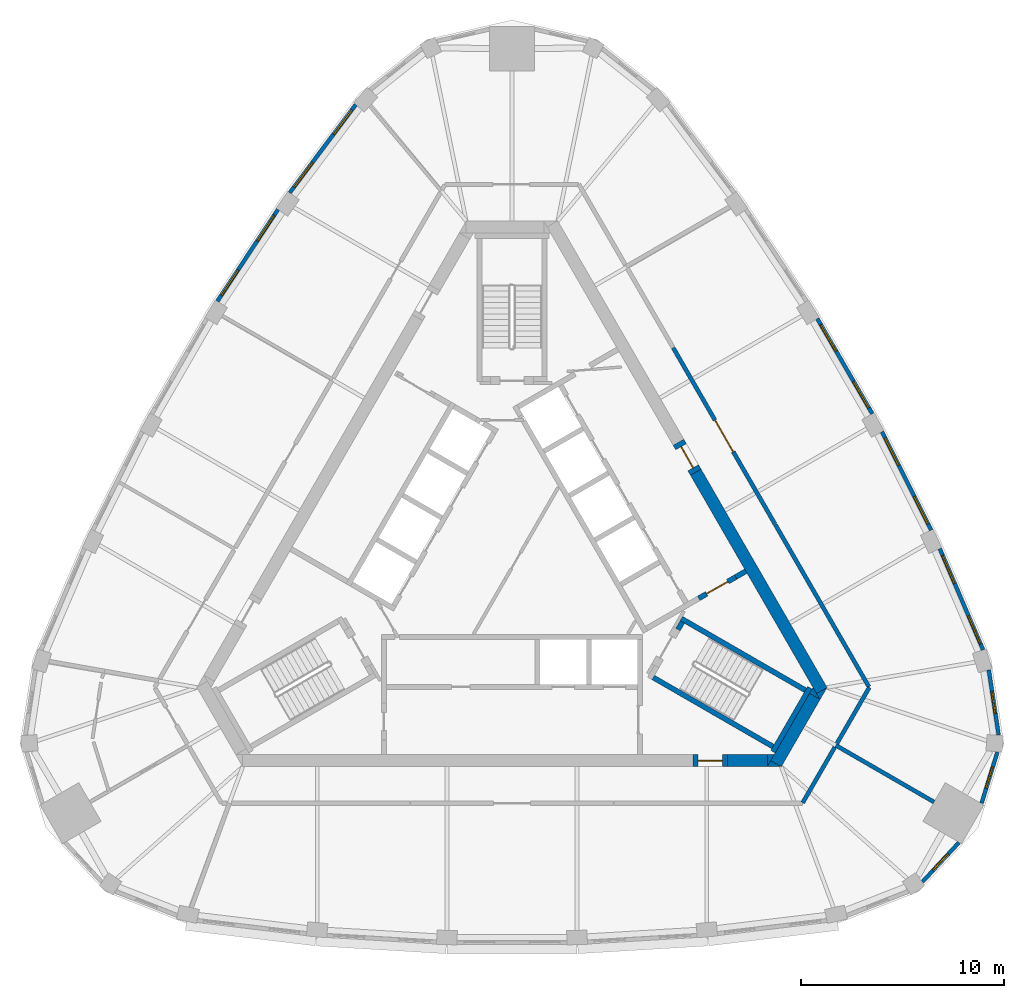
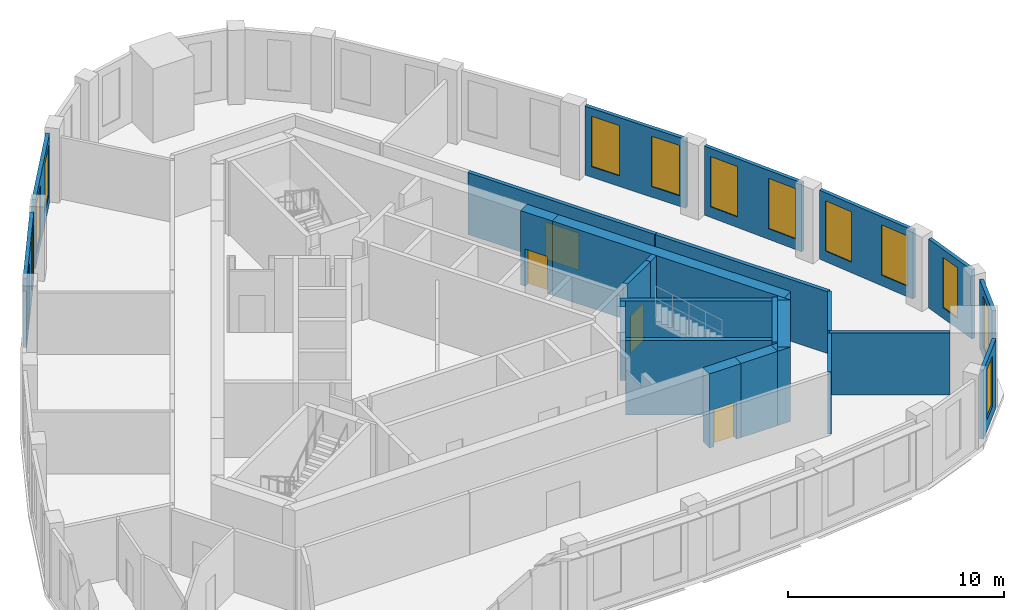
# One storey, part 6 of 8: 28 walls, 13 windows, 4 doors, 17 openings.
"""IFC4 building model written with IfcOpenShell, lengths in metres."""

from ifc_helpers import new_model, si_unit, direction, frame, frame_2d, origin, place, context, subcontext, project, spatial, polyline, rectangle, outline, extrude, material, layer, layer_set, type_object, element, fill, save


model = new_model("IFC4")

# Units and contexts
model_context = context("Model", 3, precision=1e-05, world=origin(), true_north=direction((0.0, 1.0)))
body_context = subcontext(model_context, "Body", "Model", "MODEL_VIEW")
ifc_project = project(units=[si_unit("LENGTHUNIT", "METRE"), si_unit("AREAUNIT", "SQUARE_METRE"), si_unit("VOLUMEUNIT", "CUBIC_METRE"), si_unit("PLANEANGLEUNIT", "RADIAN"), si_unit("MASSUNIT", "GRAM", prefix="KILO")], contexts=[model_context])

# Site, building, storey
site_placement = place(None, origin())
site = spatial("IfcSite", under=ifc_project, at=site_placement, CompositionType="ELEMENT")
building_placement = place(site_placement, origin())
building = spatial("IfcBuilding", under=site, at=building_placement, Name="Mestral Congress Tower", CompositionType="ELEMENT")
storey_placement = place(building_placement, frame((0.0, 0.0, 317.39990234375)))
storey = spatial("IfcBuildingStorey", under=building, at=storey_placement, Name="L74", CompositionType="ELEMENT", Elevation=317.39990234375)

# Walls
ifc_material_1 = material(Name="Concrete C60/75", Category="concrete")
ifc_layer_1 = layer(ifc_material_1, 0.60009765625)
ifc_layer_set_1 = layer_set([ifc_layer_1], Name="Concrete C60/75")
wall_type_1 = type_object("IfcWallType", Name="Core wall RC 600", PredefinedType="SOLIDWALL", material=ifc_layer_set_1)
wall_1_placement = place(storey_placement, frame((9.0419921875, 4.23876953125, 0.0), z_axis=(0.0, 0.0, 1.0), x_axis=(0.500005785455, -0.866022063525, 0.0)))
element("IfcWall", 1, at=wall_1_placement, inside=storey, type_object=wall_type_1, Name="L74 core wall", PredefinedType="SOLIDWALL", context=body_context, shape_type="SweptSolid", body=[
    extrude(rectangle(XDim=12.406494140625, YDim=0.60009765625, at=frame_2d((6.203125, 0.0))), origin(), (0.0, 0.0, 1.0), 4.2001953125),
])
placement = place(storey_placement, origin())
element("IfcWall", 2, at=placement, inside=storey, type_object=wall_type_1, Name="L74 core wall", PredefinedType="SOLIDWALL", context=body_context, shape_type="SweptSolid", body=[
    extrude(outline(polyline([(15.155517578125, -6.949951171875), (14.986572265625, -6.6572265625), (15.493408203125, -6.364501953125), (15.155517578125, -6.949951171875)])), origin(), (0.0, 0.0, 1.0), 4.2001953125),
])
wall_3_placement = place(storey_placement, frame((12.9873046875, -10.105712890625, 0.0), z_axis=(0.0, 0.0, 1.0), x_axis=(0.499950938802, 0.866053727428, 0.0)))
element("IfcWall", 3, at=wall_3_placement, inside=storey, type_object=wall_type_1, Name="L74 core wall", PredefinedType="SOLIDWALL", context=body_context, shape_type="SweptSolid", body=[
    extrude(rectangle(XDim=3.8232421875, YDim=0.60009765625, at=frame_2d((1.91162109375, 0.0))), origin(), (0.0, 0.0, 1.0), 4.2001953125),
])
element("IfcWall", 4, at=placement, inside=storey, type_object=wall_type_1, Name="L74 core wall", PredefinedType="SOLIDWALL", context=body_context, shape_type="SweptSolid", body=[
    extrude(outline(polyline([(12.726318359375, -9.957275390625), (13.2333984375, -10.25), (12.557373046875, -10.25), (12.726318359375, -9.957275390625)])), origin(), (0.0, 0.0, 1.0), 4.2001953125),
])
element("IfcWall", 5, at=placement, inside=storey, type_object=wall_type_1, Name="L74 core wall", PredefinedType="SOLIDWALL", context=body_context, shape_type="SweptSolid", body=[
    extrude(outline(polyline([(14.80908203125, -6.35009765625), (15.147216796875, -6.935791015625), (14.639892578125, -6.642822265625), (14.80908203125, -6.35009765625)])), origin(), (0.0, 0.0, 1.0), 4.2001953125),
])
wall_6_placement = place(storey_placement, frame((10.6044921875, -9.949951171875, 0.0), z_axis=(0.0, 0.0, 1.0), x_axis=(1.0, 0.0, 0.0)))
element("IfcWall", 6, at=wall_6_placement, inside=storey, type_object=wall_type_1, Name="L74 core wall", PredefinedType="SOLIDWALL", context=body_context, shape_type="SweptSolid", body=[
    extrude(rectangle(XDim=1.959228515625, YDim=0.60009765625, at=frame_2d((0.9794921875, 0.0))), origin(), (0.0, 0.0, 1.0), 4.2001953125),
])
element("IfcWall", 7, at=placement, inside=storey, type_object=wall_type_1, Name="L74 core wall", PredefinedType="SOLIDWALL", context=body_context, shape_type="SweptSolid", body=[
    extrude(outline(polyline([(12.90380859375, -9.64990234375), (12.56591796875, -10.235595703125), (12.56591796875, -9.64990234375), (12.90380859375, -9.64990234375)])), origin(), (0.0, 0.0, 1.0), 4.2001953125),
])

# Wall, opening, door
wall_8_placement = place(storey_placement, frame((10.6044921875, -9.949951171875, 0.0), z_axis=(0.0, 0.0, 1.0), x_axis=(-1.0, 0.0, 0.0)))
wall_8 = element("IfcWall", 8, at=wall_8_placement, inside=storey, type_object=wall_type_1, Name="L74 door wall", PredefinedType="SOLIDWALL", context=body_context, shape_type="SweptSolid", body=[
    extrude(rectangle(XDim=1.699951171875, YDim=0.60009765625, at=frame_2d((0.85009765625, 0.0))), origin(), (0.0, 0.0, 1.0), 4.2001953125),
])
opening_1_placement = place(wall_8_placement, frame((0.25, 0.0, 0.0)))
opening_1 = element("IfcOpeningElement", 9, at=opening_1_placement, cuts=wall_8, Name="Opening XD1", PredefinedType="OPENING", context=body_context, shape_type="SweptSolid", body=[
    extrude(rectangle(XDim=1.199951171875, YDim=2.10009765625, at=frame_2d((0.60009765625, 1.050048828125))), frame((0.0, 0.31005859375, 0.0), z_axis=(0.0, -1.0, 0.0), x_axis=(1.0, 0.0, 0.0)), (0.0, 0.0, 1.0), 0.6201171875),
])
ifc_material_2 = material(Name="Fire-rated steel door set", Category="steel")
door_type_1 = type_object("IfcDoorType", Name="Core door XD 1200x2100", OperationType="SINGLE_SWING_LEFT", PredefinedType="DOOR", material=ifc_material_2)
door_1_placement = place(opening_1_placement, origin())
door_1 = element("IfcDoor", 10, at=door_1_placement, inside=storey, type_object=door_type_1, Name="Door XD1", OperationType="SINGLE_SWING_LEFT", OverallHeight=2.10009765625, OverallWidth=1.199951171875, PredefinedType="DOOR", context=body_context, shape_type="SweptSolid", body=[
    extrude(rectangle(XDim=1.199951171875, YDim=2.10009765625, at=frame_2d((0.60009765625, 1.050048828125))), frame((0.0, 0.02490234375, 0.0), z_axis=(0.0, -1.0, 0.0), x_axis=(1.0, 0.0, 0.0)), (0.0, 0.0, 1.0), 0.050048828125),
])
fill(opening_1, door_1)

wall_9_placement = place(storey_placement, frame((8.19189453125, 5.711181640625, 0.0), z_axis=(0.0, 0.0, 1.0), x_axis=(0.500062241894, -0.865989465428, 0.0)))
wall_9 = element("IfcWall", 11, at=wall_9_placement, inside=storey, type_object=wall_type_1, Name="L74 door wall", PredefinedType="SOLIDWALL", context=body_context, shape_type="SweptSolid", body=[
    extrude(rectangle(XDim=1.699951171875, YDim=0.60009765625, at=frame_2d((0.85009765625, 0.0))), origin(), (0.0, 0.0, 1.0), 4.2001953125),
])
opening_2_placement = place(wall_9_placement, frame((0.25, 0.0, 0.0)))
opening_2 = element("IfcOpeningElement", 12, at=opening_2_placement, cuts=wall_9, Name="Opening XDL", PredefinedType="OPENING", context=body_context, shape_type="SweptSolid", body=[
    extrude(rectangle(XDim=1.199951171875, YDim=2.10009765625, at=frame_2d((0.60009765625, 1.050048828125))), frame((0.0, 0.31005859375, 0.0), z_axis=(0.0, -1.0, 0.0), x_axis=(1.0, 0.0, 0.0)), (0.0, 0.0, 1.0), 0.6201171875),
])
door_2_placement = place(opening_2_placement, origin())
door_2 = element("IfcDoor", 13, at=door_2_placement, inside=storey, type_object=door_type_1, Name="Door XDL", OperationType="SINGLE_SWING_LEFT", OverallHeight=2.10009765625, OverallWidth=1.199951171875, PredefinedType="DOOR", context=body_context, shape_type="SweptSolid", body=[
    extrude(rectangle(XDim=1.199951171875, YDim=2.10009765625, at=frame_2d((0.60009765625, 1.050048828125))), frame((0.0, 0.02490234375, 0.0), z_axis=(0.0, -1.0, 0.0), x_axis=(1.0, 0.0, 0.0)), (0.0, 0.0, 1.0), 0.050048828125),
])
fill(opening_2, door_2)

# Wall, opening, window
ifc_material_3 = material(Name="Precast concrete C40/50 with limestone facing", Category="masonry")
ifc_layer_2 = layer(ifc_material_3, 0.18994140625)
ifc_layer_set_2 = layer_set([ifc_layer_2], Name="Precast concrete C40/50 with limestone facing")
wall_type_2 = type_object("IfcWallType", Name="Facade stone wall 190", PredefinedType="SOLIDWALL", material=ifc_layer_set_2)
wall_10_placement = place(storey_placement, frame((20.197998046875, -15.91357421875, 0.0), z_axis=(0.0, 0.0, 1.0), x_axis=(0.680219354823, 0.733008614768, 0.0)))
wall_10 = element("IfcWall", 14, at=wall_10_placement, inside=storey, type_object=wall_type_2, Name="Facade wall K0-1", PredefinedType="SOLIDWALL", context=body_context, shape_type="SweptSolid", body=[
    extrude(rectangle(XDim=2.626953125, YDim=0.18994140625, at=frame_2d((1.3134765625, 0.0))), origin(), (0.0, 0.0, 1.0), 3.900146484375),
])
opening_3_placement = place(wall_10_placement, frame((0.763427734375, 0.0, 0.60009765625)))
opening_3 = element("IfcOpeningElement", 15, at=opening_3_placement, cuts=wall_10, Name="Opening W7", PredefinedType="OPENING", context=body_context, shape_type="SweptSolid", body=[
    extrude(rectangle(XDim=1.10009765625, YDim=2.85009765625, at=frame_2d((0.550048828125, 1.425048828125))), frame((0.0, 0.10498046875, 0.0), z_axis=(0.0, -1.0, 0.0), x_axis=(1.0, 0.0, 0.0)), (0.0, 0.0, 1.0), 0.2099609375),
])
ifc_material_4 = material(Name="Clear low-emissivity double glazing", Category="glass")
window_type_1 = type_object("IfcWindowType", Name="Facade punched window 1100 x 2850 sill 600", PartitioningType="SINGLE_PANEL", PredefinedType="WINDOW", material=ifc_material_4)
window_1_placement = place(opening_3_placement, origin())
window_1 = element("IfcWindow", 16, at=window_1_placement, inside=storey, type_object=window_type_1, Name="Window K0-1", OverallHeight=2.85009765625, OverallWidth=1.10009765625, PartitioningType="SINGLE_PANEL", PredefinedType="WINDOW", context=body_context, shape_type="SweptSolid", body=[
    extrude(rectangle(XDim=1.10009765625, YDim=2.85009765625, at=frame_2d((0.550048828125, 1.425048828125))), frame((0.0, 0.044921875, 0.0), z_axis=(0.0, -1.0, 0.0), x_axis=(1.0, 0.0, 0.0)), (0.0, 0.0, 1.0), 0.06005859375),
])
fill(opening_3, window_1)

wall_11_placement = place(storey_placement, frame((23.1064453125, -12.04541015625, 0.0), z_axis=(0.0, 0.0, 1.0), x_axis=(0.294706210429, 0.9555879078, 0.0)))
wall_11 = element("IfcWall", 17, at=wall_11_placement, inside=storey, type_object=wall_type_2, Name="Facade wall K0-2", PredefinedType="SOLIDWALL", context=body_context, shape_type="SweptSolid", body=[
    extrude(rectangle(XDim=2.626953125, YDim=0.18994140625, at=frame_2d((1.3134765625, 0.0))), origin(), (0.0, 0.0, 1.0), 3.900146484375),
])
opening_4_placement = place(wall_11_placement, frame((0.763427734375, 0.0, 0.60009765625)))
opening_4 = element("IfcOpeningElement", 18, at=opening_4_placement, cuts=wall_11, Name="Opening W7", PredefinedType="OPENING", context=body_context, shape_type="SweptSolid", body=[
    extrude(rectangle(XDim=1.10009765625, YDim=2.85009765625, at=frame_2d((0.550048828125, 1.425048828125))), frame((0.0, 0.10498046875, 0.0), z_axis=(0.0, -1.0, 0.0), x_axis=(1.0, 0.0, 0.0)), (0.0, 0.0, 1.0), 0.2099609375),
])
window_2_placement = place(opening_4_placement, origin())
window_2 = element("IfcWindow", 19, at=window_2_placement, inside=storey, type_object=window_type_1, Name="Window K0-2", OverallHeight=2.85009765625, OverallWidth=1.10009765625, PartitioningType="SINGLE_PANEL", PredefinedType="WINDOW", context=body_context, shape_type="SweptSolid", body=[
    extrude(rectangle(XDim=1.10009765625, YDim=2.85009765625, at=frame_2d((0.550048828125, 1.425048828125))), frame((0.0, 0.044921875, 0.0), z_axis=(0.0, -1.0, 0.0), x_axis=(1.0, 0.0, 0.0)), (0.0, 0.0, 1.0), 0.06005859375),
])
fill(opening_4, window_2)

wall_12_placement = place(storey_placement, frame((23.94384765625, -8.6884765625, 0.0), z_axis=(0.0, 0.0, 1.0), x_axis=(-0.149421055602, 0.988773658702, 0.0)))
wall_12 = element("IfcWall", 20, at=wall_12_placement, inside=storey, type_object=wall_type_2, Name="Facade wall K0-3", PredefinedType="SOLIDWALL", context=body_context, shape_type="SweptSolid", body=[
    extrude(rectangle(XDim=3.23681640625, YDim=0.18994140625, at=frame_2d((1.618408203125, 0.0))), origin(), (0.0, 0.0, 1.0), 3.900146484375),
])
opening_5_placement = place(wall_12_placement, frame((1.068359375, 0.0, 0.60009765625)))
opening_5 = element("IfcOpeningElement", 21, at=opening_5_placement, cuts=wall_12, Name="Opening W7", PredefinedType="OPENING", context=body_context, shape_type="SweptSolid", body=[
    extrude(rectangle(XDim=1.10009765625, YDim=2.85009765625, at=frame_2d((0.550048828125, 1.425048828125))), frame((0.0, 0.10498046875, 0.0), z_axis=(0.0, -1.0, 0.0), x_axis=(1.0, 0.0, 0.0)), (0.0, 0.0, 1.0), 0.2099609375),
])
window_3_placement = place(opening_5_placement, origin())
window_3 = element("IfcWindow", 22, at=window_3_placement, inside=storey, type_object=window_type_1, Name="Window K0-3", OverallHeight=2.85009765625, OverallWidth=1.10009765625, PartitioningType="SINGLE_PANEL", PredefinedType="WINDOW", context=body_context, shape_type="SweptSolid", body=[
    extrude(rectangle(XDim=1.10009765625, YDim=2.85009765625, at=frame_2d((0.550048828125, 1.425048828125))), frame((0.0, 0.044921875, 0.0), z_axis=(0.0, -1.0, 0.0), x_axis=(1.0, 0.0, 0.0)), (0.0, 0.0, 1.0), 0.06005859375),
])
fill(opening_5, window_3)

# Wall, openings, windows
wall_13_placement = place(storey_placement, frame((23.1787109375, -4.50048828125, 0.0), z_axis=(0.0, 0.0, 1.0), x_axis=(-0.393347848476, 0.919389726992, 0.0)))
wall_13 = element("IfcWall", 23, at=wall_13_placement, inside=storey, type_object=wall_type_2, Name="Facade wall F1-00", PredefinedType="SOLIDWALL", context=body_context, shape_type="SweptSolid", body=[
    extrude(rectangle(XDim=5.414794921875, YDim=0.18994140625, at=frame_2d((2.70751953125, 0.0))), origin(), (0.0, 0.0, 1.0), 3.900146484375),
])
opening_6_placement = place(wall_13_placement, frame((0.322509765625, 0.0, 0.60009765625)))
opening_6 = element("IfcOpeningElement", 24, at=opening_6_placement, cuts=wall_13, Name="Opening W6", PredefinedType="OPENING", context=body_context, shape_type="SweptSolid", body=[
    extrude(rectangle(XDim=1.5, YDim=2.85009765625, at=frame_2d((0.75, 1.425048828125))), frame((0.0, 0.10498046875, 0.0), z_axis=(0.0, -1.0, 0.0), x_axis=(1.0, 0.0, 0.0)), (0.0, 0.0, 1.0), 0.2099609375),
])
opening_7_placement = place(wall_13_placement, frame((3.5576171875, 0.0, 0.60009765625)))
opening_7 = element("IfcOpeningElement", 25, at=opening_7_placement, cuts=wall_13, Name="Opening W6", PredefinedType="OPENING", context=body_context, shape_type="SweptSolid", body=[
    extrude(rectangle(XDim=1.5, YDim=2.85009765625, at=frame_2d((0.75, 1.425048828125))), frame((0.0, 0.10498046875, 0.0), z_axis=(0.0, -1.0, 0.0), x_axis=(1.0, 0.0, 0.0)), (0.0, 0.0, 1.0), 0.2099609375),
])
window_type_2 = type_object("IfcWindowType", Name="Facade punched window 1500 x 2850 sill 600", PartitioningType="SINGLE_PANEL", PredefinedType="WINDOW", material=ifc_material_4)
window_4_placement = place(opening_6_placement, origin())
window_4 = element("IfcWindow", 26, at=window_4_placement, inside=storey, type_object=window_type_2, Name="Window F1-00a", OverallHeight=2.85009765625, OverallWidth=1.5, PartitioningType="SINGLE_PANEL", PredefinedType="WINDOW", context=body_context, shape_type="SweptSolid", body=[
    extrude(rectangle(XDim=1.5, YDim=2.85009765625, at=frame_2d((0.75, 1.425048828125))), frame((0.0, 0.044921875, 0.0), z_axis=(0.0, -1.0, 0.0), x_axis=(1.0, 0.0, 0.0)), (0.0, 0.0, 1.0), 0.06005859375),
])
fill(opening_6, window_4)
window_5_placement = place(opening_7_placement, origin())
window_5 = element("IfcWindow", 27, at=window_5_placement, inside=storey, type_object=window_type_2, Name="Window F1-00b", OverallHeight=2.85009765625, OverallWidth=1.5, PartitioningType="SINGLE_PANEL", PredefinedType="WINDOW", context=body_context, shape_type="SweptSolid", body=[
    extrude(rectangle(XDim=1.5, YDim=2.85009765625, at=frame_2d((0.75, 1.425048828125))), frame((0.0, 0.044921875, 0.0), z_axis=(0.0, -1.0, 0.0), x_axis=(1.0, 0.0, 0.0)), (0.0, 0.0, 1.0), 0.06005859375),
])
fill(opening_7, window_5)

wall_14_placement = place(storey_placement, frame((20.625, 1.39208984375, 0.0), z_axis=(0.0, 0.0, 1.0), x_axis=(-0.447484531401, 0.894291671747, 0.0)))
wall_14 = element("IfcWall", 28, at=wall_14_placement, inside=storey, type_object=wall_type_2, Name="Facade wall F1-01", PredefinedType="SOLIDWALL", context=body_context, shape_type="SweptSolid", body=[
    extrude(rectangle(XDim=5.40625, YDim=0.18994140625, at=frame_2d((2.703125, 0.0))), origin(), (0.0, 0.0, 1.0), 3.900146484375),
])
opening_8_placement = place(wall_14_placement, frame((0.346435546875, 0.0, 0.60009765625)))
opening_8 = element("IfcOpeningElement", 29, at=opening_8_placement, cuts=wall_14, Name="Opening W6", PredefinedType="OPENING", context=body_context, shape_type="SweptSolid", body=[
    extrude(rectangle(XDim=1.5, YDim=2.85009765625, at=frame_2d((0.75, 1.425048828125))), frame((0.0, 0.10498046875, 0.0), z_axis=(0.0, -1.0, 0.0), x_axis=(1.0, 0.0, 0.0)), (0.0, 0.0, 1.0), 0.2099609375),
])
opening_9_placement = place(wall_14_placement, frame((3.559326171875, 0.0, 0.60009765625)))
opening_9 = element("IfcOpeningElement", 30, at=opening_9_placement, cuts=wall_14, Name="Opening W6", PredefinedType="OPENING", context=body_context, shape_type="SweptSolid", body=[
    extrude(rectangle(XDim=1.5, YDim=2.85009765625, at=frame_2d((0.75, 1.425048828125))), frame((0.0, 0.10498046875, 0.0), z_axis=(0.0, -1.0, 0.0), x_axis=(1.0, 0.0, 0.0)), (0.0, 0.0, 1.0), 0.2099609375),
])
window_6_placement = place(opening_8_placement, origin())
window_6 = element("IfcWindow", 31, at=window_6_placement, inside=storey, type_object=window_type_2, Name="Window F1-01a", OverallHeight=2.85009765625, OverallWidth=1.5, PartitioningType="SINGLE_PANEL", PredefinedType="WINDOW", context=body_context, shape_type="SweptSolid", body=[
    extrude(rectangle(XDim=1.5, YDim=2.85009765625, at=frame_2d((0.75, 1.425048828125))), frame((0.0, 0.044921875, 0.0), z_axis=(0.0, -1.0, 0.0), x_axis=(1.0, 0.0, 0.0)), (0.0, 0.0, 1.0), 0.06005859375),
])
fill(opening_8, window_6)
window_7_placement = place(opening_9_placement, origin())
window_7 = element("IfcWindow", 32, at=window_7_placement, inside=storey, type_object=window_type_2, Name="Window F1-01b", OverallHeight=2.85009765625, OverallWidth=1.5, PartitioningType="SINGLE_PANEL", PredefinedType="WINDOW", context=body_context, shape_type="SweptSolid", body=[
    extrude(rectangle(XDim=1.5, YDim=2.85009765625, at=frame_2d((0.75, 1.425048828125))), frame((0.0, 0.044921875, 0.0), z_axis=(0.0, -1.0, 0.0), x_axis=(1.0, 0.0, 0.0)), (0.0, 0.0, 1.0), 0.06005859375),
])
fill(opening_9, window_7)

wall_15_placement = place(storey_placement, frame((17.728271484375, 7.1142578125, 0.0), z_axis=(0.0, 0.0, 1.0), x_axis=(-0.500024767483, 0.866011103799, 0.0)))
wall_15 = element("IfcWall", 33, at=wall_15_placement, inside=storey, type_object=wall_type_2, Name="Facade wall F1-02", PredefinedType="SOLIDWALL", context=body_context, shape_type="SweptSolid", body=[
    extrude(rectangle(XDim=5.406005859375, YDim=0.18994140625, at=frame_2d((2.703125, 0.0))), origin(), (0.0, 0.0, 1.0), 3.900146484375),
])
opening_10_placement = place(wall_15_placement, frame((0.346435546875, 0.0, 0.60009765625)))
opening_10 = element("IfcOpeningElement", 34, at=opening_10_placement, cuts=wall_15, Name="Opening W6", PredefinedType="OPENING", context=body_context, shape_type="SweptSolid", body=[
    extrude(rectangle(XDim=1.5, YDim=2.85009765625, at=frame_2d((0.75, 1.425048828125))), frame((0.0, 0.10498046875, 0.0), z_axis=(0.0, -1.0, 0.0), x_axis=(1.0, 0.0, 0.0)), (0.0, 0.0, 1.0), 0.2099609375),
])
opening_11_placement = place(wall_15_placement, frame((3.5595703125, 0.0, 0.60009765625)))
opening_11 = element("IfcOpeningElement", 35, at=opening_11_placement, cuts=wall_15, Name="Opening W6", PredefinedType="OPENING", context=body_context, shape_type="SweptSolid", body=[
    extrude(rectangle(XDim=1.5, YDim=2.85009765625, at=frame_2d((0.75, 1.425048828125))), frame((0.0, 0.10498046875, 0.0), z_axis=(0.0, -1.0, 0.0), x_axis=(1.0, 0.0, 0.0)), (0.0, 0.0, 1.0), 0.2099609375),
])
window_8_placement = place(opening_10_placement, origin())
window_8 = element("IfcWindow", 36, at=window_8_placement, inside=storey, type_object=window_type_2, Name="Window F1-02a", OverallHeight=2.85009765625, OverallWidth=1.5, PartitioningType="SINGLE_PANEL", PredefinedType="WINDOW", context=body_context, shape_type="SweptSolid", body=[
    extrude(rectangle(XDim=1.5, YDim=2.85009765625, at=frame_2d((0.75, 1.425048828125))), frame((0.0, 0.044921875, 0.0), z_axis=(0.0, -1.0, 0.0), x_axis=(1.0, 0.0, 0.0)), (0.0, 0.0, 1.0), 0.06005859375),
])
fill(opening_10, window_8)
window_9_placement = place(opening_11_placement, origin())
window_9 = element("IfcWindow", 37, at=window_9_placement, inside=storey, type_object=window_type_2, Name="Window F1-02b", OverallHeight=2.85009765625, OverallWidth=1.5, PartitioningType="SINGLE_PANEL", PredefinedType="WINDOW", context=body_context, shape_type="SweptSolid", body=[
    extrude(rectangle(XDim=1.5, YDim=2.85009765625, at=frame_2d((0.75, 1.425048828125))), frame((0.0, 0.044921875, 0.0), z_axis=(0.0, -1.0, 0.0), x_axis=(1.0, 0.0, 0.0)), (0.0, 0.0, 1.0), 0.06005859375),
])
fill(opening_11, window_9)

wall_16_placement = place(storey_placement, frame((-7.691650390625, 22.32373046875, 0.0), z_axis=(0.0, 0.0, 1.0), x_axis=(-0.599559865294, -0.800329911929, 0.0)))
wall_16 = element("IfcWall", 38, at=wall_16_placement, inside=storey, type_object=wall_type_2, Name="Facade wall F2-00", PredefinedType="SOLIDWALL", context=body_context, shape_type="SweptSolid", body=[
    extrude(rectangle(XDim=5.4150390625, YDim=0.18994140625, at=frame_2d((2.70751953125, 0.0))), origin(), (0.0, 0.0, 1.0), 3.900146484375),
])
opening_12_placement = place(wall_16_placement, frame((0.322509765625, 0.0, 0.60009765625)))
opening_12 = element("IfcOpeningElement", 39, at=opening_12_placement, cuts=wall_16, Name="Opening W6", PredefinedType="OPENING", context=body_context, shape_type="SweptSolid", body=[
    extrude(rectangle(XDim=1.5, YDim=2.85009765625, at=frame_2d((0.75, 1.425048828125))), frame((0.0, 0.10498046875, 0.0), z_axis=(0.0, -1.0, 0.0), x_axis=(1.0, 0.0, 0.0)), (0.0, 0.0, 1.0), 0.2099609375),
])
opening_13_placement = place(wall_16_placement, frame((3.5576171875, 0.0, 0.60009765625)))
opening_13 = element("IfcOpeningElement", 40, at=opening_13_placement, cuts=wall_16, Name="Opening W6", PredefinedType="OPENING", context=body_context, shape_type="SweptSolid", body=[
    extrude(rectangle(XDim=1.5, YDim=2.85009765625, at=frame_2d((0.75, 1.425048828125))), frame((0.0, 0.10498046875, 0.0), z_axis=(0.0, -1.0, 0.0), x_axis=(1.0, 0.0, 0.0)), (0.0, 0.0, 1.0), 0.2099609375),
])
window_10_placement = place(opening_12_placement, origin())
window_10 = element("IfcWindow", 41, at=window_10_placement, inside=storey, type_object=window_type_2, Name="Window F2-00a", OverallHeight=2.85009765625, OverallWidth=1.5, PartitioningType="SINGLE_PANEL", PredefinedType="WINDOW", context=body_context, shape_type="SweptSolid", body=[
    extrude(rectangle(XDim=1.5, YDim=2.85009765625, at=frame_2d((0.75, 1.425048828125))), frame((0.0, 0.044921875, 0.0), z_axis=(0.0, -1.0, 0.0), x_axis=(1.0, 0.0, 0.0)), (0.0, 0.0, 1.0), 0.06005859375),
])
fill(opening_12, window_10)
window_11_placement = place(opening_13_placement, origin())
window_11 = element("IfcWindow", 42, at=window_11_placement, inside=storey, type_object=window_type_2, Name="Window F2-00b", OverallHeight=2.85009765625, OverallWidth=1.5, PartitioningType="SINGLE_PANEL", PredefinedType="WINDOW", context=body_context, shape_type="SweptSolid", body=[
    extrude(rectangle(XDim=1.5, YDim=2.85009765625, at=frame_2d((0.75, 1.425048828125))), frame((0.0, 0.044921875, 0.0), z_axis=(0.0, -1.0, 0.0), x_axis=(1.0, 0.0, 0.0)), (0.0, 0.0, 1.0), 0.06005859375),
])
fill(opening_13, window_11)

wall_17_placement = place(storey_placement, frame((-11.518310546875, 17.16552734375, 0.0), z_axis=(0.0, 0.0, 1.0), x_axis=(-0.550744054781, -0.83467417962, 0.0)))
wall_17 = element("IfcWall", 43, at=wall_17_placement, inside=storey, type_object=wall_type_2, Name="Facade wall F2-01", PredefinedType="SOLIDWALL", context=body_context, shape_type="SweptSolid", body=[
    extrude(rectangle(XDim=5.406005859375, YDim=0.18994140625, at=frame_2d((2.703125, 0.0))), origin(), (0.0, 0.0, 1.0), 3.900146484375),
])
opening_14_placement = place(wall_17_placement, frame((0.346435546875, 0.0, 0.60009765625)))
opening_14 = element("IfcOpeningElement", 44, at=opening_14_placement, cuts=wall_17, Name="Opening W6", PredefinedType="OPENING", context=body_context, shape_type="SweptSolid", body=[
    extrude(rectangle(XDim=1.5, YDim=2.85009765625, at=frame_2d((0.75, 1.425048828125))), frame((0.0, 0.10498046875, 0.0), z_axis=(0.0, -1.0, 0.0), x_axis=(1.0, 0.0, 0.0)), (0.0, 0.0, 1.0), 0.2099609375),
])
opening_15_placement = place(wall_17_placement, frame((3.559326171875, 0.0, 0.60009765625)))
opening_15 = element("IfcOpeningElement", 45, at=opening_15_placement, cuts=wall_17, Name="Opening W6", PredefinedType="OPENING", context=body_context, shape_type="SweptSolid", body=[
    extrude(rectangle(XDim=1.5, YDim=2.85009765625, at=frame_2d((0.75, 1.425048828125))), frame((0.0, 0.10498046875, 0.0), z_axis=(0.0, -1.0, 0.0), x_axis=(1.0, 0.0, 0.0)), (0.0, 0.0, 1.0), 0.2099609375),
])
window_12_placement = place(opening_14_placement, origin())
window_12 = element("IfcWindow", 46, at=window_12_placement, inside=storey, type_object=window_type_2, Name="Window F2-01a", OverallHeight=2.85009765625, OverallWidth=1.5, PartitioningType="SINGLE_PANEL", PredefinedType="WINDOW", context=body_context, shape_type="SweptSolid", body=[
    extrude(rectangle(XDim=1.5, YDim=2.85009765625, at=frame_2d((0.75, 1.425048828125))), frame((0.0, 0.044921875, 0.0), z_axis=(0.0, -1.0, 0.0), x_axis=(1.0, 0.0, 0.0)), (0.0, 0.0, 1.0), 0.06005859375),
])
fill(opening_14, window_12)
window_13_placement = place(opening_15_placement, origin())
window_13 = element("IfcWindow", 47, at=window_13_placement, inside=storey, type_object=window_type_2, Name="Window F2-01b", OverallHeight=2.85009765625, OverallWidth=1.5, PartitioningType="SINGLE_PANEL", PredefinedType="WINDOW", context=body_context, shape_type="SweptSolid", body=[
    extrude(rectangle(XDim=1.5, YDim=2.85009765625, at=frame_2d((0.75, 1.425048828125))), frame((0.0, 0.044921875, 0.0), z_axis=(0.0, -1.0, 0.0), x_axis=(1.0, 0.0, 0.0)), (0.0, 0.0, 1.0), 0.06005859375),
])
fill(opening_15, window_13)

# Walls
ifc_material_5 = material(Name="Dense masonry wall, plastered", Category="masonry")
ifc_layer_3 = layer(ifc_material_5, 0.199951171875)
ifc_layer_set_3 = layer_set([ifc_layer_3], Name="Dense masonry wall, plastered")
wall_type_3 = type_object("IfcWallType", Name="Office tenancy wall 200", PredefinedType="PARTITIONING", material=ifc_layer_set_3)
wall_18_placement = place(storey_placement, frame((15.934814453125, -9.199951171875, 0.0), z_axis=(0.0, 0.0, 1.0), x_axis=(0.866025968103, -0.499999022571, 0.0)))
element("IfcWall", 48, at=wall_18_placement, inside=storey, type_object=wall_type_3, Name="Tenancy wall", PredefinedType="PARTITIONING", context=body_context, shape_type="SweptSolid", body=[
    extrude(rectangle(XDim=5.578125, YDim=0.199951171875, at=frame_2d((2.7890625, 0.0))), origin(), (0.0, 0.0, 1.0), 3.5),
])
wall_19_placement = place(storey_placement, frame((14.304443359375, -12.02392578125, 0.0), z_axis=(0.0, 0.0, 1.0), x_axis=(0.500043375578, 0.866000359435, 0.0)))
element("IfcWall", 49, at=wall_19_placement, inside=storey, type_object=wall_type_3, Name="Tenancy wall", PredefinedType="PARTITIONING", context=body_context, shape_type="SweptSolid", body=[
    extrude(rectangle(XDim=3.160888671875, YDim=0.199951171875, at=frame_2d((1.58056640625, 0.0))), origin(), (0.0, 0.0, 1.0), 3.5),
])

# Wall, opening, door
wall_20_placement = place(storey_placement, frame((12.935546875, 1.69482421875, 0.0), z_axis=(0.0, 0.0, 1.0), x_axis=(-0.500004234368, 0.866022959057, 0.0)))
wall_20 = element("IfcWall", 50, at=wall_20_placement, inside=storey, type_object=wall_type_3, Name="Tenancy wall", PredefinedType="PARTITIONING", context=body_context, shape_type="SweptSolid", body=[
    extrude(rectangle(XDim=10.0, YDim=0.199951171875, at=frame_2d((5.0, 0.0))), origin(), (0.0, 0.0, 1.0), 3.5),
])
opening_16_placement = place(wall_20_placement, frame((4.10009765625, 0.0, 0.0)))
opening_16 = element("IfcOpeningElement", 51, at=opening_16_placement, cuts=wall_20, Name="Opening O15-002", PredefinedType="OPENING", context=body_context, shape_type="SweptSolid", body=[
    extrude(rectangle(XDim=1.800048828125, YDim=2.10009765625, at=frame_2d((0.89990234375, 1.050048828125))), frame((0.0, 0.10986328125, 0.0), z_axis=(0.0, -1.0, 0.0), x_axis=(1.0, 0.0, 0.0)), (0.0, 0.0, 1.0), 0.219970703125),
])
ifc_material_6 = material(Name="Fire-rated timber door set", Category="wood")
door_type_2 = type_object("IfcDoorType", Name="Office assembly double door 1800x2100", OperationType="DOUBLE_DOOR_SINGLE_SWING", PredefinedType="DOOR", material=ifc_material_6)
door_3_placement = place(opening_16_placement, origin())
door_3 = element("IfcDoor", 52, at=door_3_placement, inside=storey, type_object=door_type_2, Name="Door O15-002", OperationType="DOUBLE_DOOR_SINGLE_SWING", OverallHeight=2.10009765625, OverallWidth=1.800048828125, PredefinedType="DOOR", context=body_context, shape_type="SweptSolid", body=[
    extrude(rectangle(XDim=1.800048828125, YDim=2.10009765625, at=frame_2d((0.89990234375, 1.050048828125))), frame((0.0, 0.02490234375, 0.0), z_axis=(0.0, -1.0, 0.0), x_axis=(1.0, 0.0, 0.0)), (0.0, 0.0, 1.0), 0.050048828125),
])
fill(opening_16, door_3)

# Walls
wall_21_placement = place(storey_placement, frame((15.98486328125, -9.11328125, 0.0), z_axis=(0.0, 0.0, 1.0), x_axis=(0.50003154259, 0.866007191896, 0.0)))
element("IfcWall", 53, at=wall_21_placement, inside=storey, type_object=wall_type_3, Name="Tenancy wall", PredefinedType="PARTITIONING", context=body_context, shape_type="SweptSolid", body=[
    extrude(rectangle(XDim=3.190673828125, YDim=0.199951171875, at=frame_2d((1.59521484375, 0.0))), origin(), (0.0, 0.0, 1.0), 3.5),
])
wall_22_placement = place(storey_placement, frame((17.565185546875, -6.323974609375, 0.0), z_axis=(0.0, 0.0, 1.0), x_axis=(-0.49998273032, 0.866035374209, 0.0)))
element("IfcWall", 54, at=wall_22_placement, inside=storey, type_object=wall_type_3, Name="Tenancy wall", PredefinedType="PARTITIONING", context=body_context, shape_type="SweptSolid", body=[
    extrude(rectangle(XDim=9.229248046875, YDim=0.199951171875, at=frame_2d((4.61474609375, 0.0))), origin(), (0.0, 0.0, 1.0), 3.5),
])
ifc_layer_4 = layer(ifc_material_1, 0.25)
ifc_layer_set_4 = layer_set([ifc_layer_4], Name="Concrete C60/75")
wall_type_4 = type_object("IfcWallType", Name="Shaft wall RC 250", PredefinedType="SOLIDWALL", material=ifc_layer_set_4)
wall_23_placement = place(storey_placement, frame((11.507080078125, -0.631103515625, 0.0), z_axis=(0.0, 0.0, 1.0), x_axis=(-0.866093731455, -0.499881634324, 0.0)))
element("IfcWall", 55, at=wall_23_placement, inside=storey, type_object=wall_type_4, Name="L74 core wall", PredefinedType="SOLIDWALL", context=body_context, shape_type="SweptSolid", body=[
    extrude(rectangle(XDim=0.575439453125, YDim=0.25, at=frame_2d((0.28759765625, 0.0))), origin(), (0.0, 0.0, 1.0), 4.2001953125),
])

# Wall, opening, door
wall_24_placement = place(storey_placement, frame((11.0087890625, -0.918701171875, 0.0), z_axis=(0.0, 0.0, 1.0), x_axis=(-0.866059744384, -0.49994051562, 0.0)))
wall_24 = element("IfcWall", 56, at=wall_24_placement, inside=storey, type_object=wall_type_4, Name="L74 door wall", PredefinedType="SOLIDWALL", context=body_context, shape_type="SweptSolid", body=[
    extrude(rectangle(XDim=2.099853515625, YDim=0.25, at=frame_2d((1.0498046875, 0.0))), origin(), (0.0, 0.0, 1.0), 4.2001953125),
])
opening_17_placement = place(wall_24_placement, frame((0.449951171875, 0.0, 0.0)))
opening_17 = element("IfcOpeningElement", 57, at=opening_17_placement, cuts=wall_24, Name="Opening LB1-PX10", PredefinedType="OPENING", context=body_context, shape_type="SweptSolid", body=[
    extrude(rectangle(XDim=1.199951171875, YDim=2.10009765625, at=frame_2d((0.60009765625, 1.050048828125))), frame((0.0, 0.135009765625, 0.0), z_axis=(0.0, -1.0, 0.0), x_axis=(1.0, 0.0, 0.0)), (0.0, 0.0, 1.0), 0.27001953125),
])
door_type_3 = type_object("IfcDoorType", Name="Core door LB 1200x2100", OperationType="SINGLE_SWING_LEFT", PredefinedType="DOOR", material=ifc_material_2)
door_4_placement = place(opening_17_placement, origin())
door_4 = element("IfcDoor", 58, at=door_4_placement, inside=storey, type_object=door_type_3, Name="Door LB1-PX10", OperationType="SINGLE_SWING_LEFT", OverallHeight=2.10009765625, OverallWidth=1.199951171875, PredefinedType="DOOR", context=body_context, shape_type="SweptSolid", body=[
    extrude(rectangle(XDim=1.199951171875, YDim=2.10009765625, at=frame_2d((0.60009765625, 1.050048828125))), frame((0.0, 0.02490234375, 0.0), z_axis=(0.0, -1.0, 0.0), x_axis=(1.0, 0.0, 0.0)), (0.0, 0.0, 1.0), 0.050048828125),
])
fill(opening_17, door_4)

# Walls
ifc_layer_5 = layer(ifc_material_1, 0.25)
ifc_layer_set_5 = layer_set([ifc_layer_5], Name="Concrete C60/75")
wall_type_5 = type_object("IfcWallType", Name="Stair wall RC 250", PredefinedType="SOLIDWALL", material=ifc_layer_set_5)
wall_25_placement = place(storey_placement, frame((12.839599609375, -9.510986328125, 0.0), z_axis=(0.0, 0.0, 1.0), x_axis=(0.500048121057, 0.865997619297, 0.0)))
element("IfcWall", 59, at=wall_25_placement, inside=storey, type_object=wall_type_5, Name="L74 core wall", PredefinedType="SOLIDWALL", context=body_context, shape_type="SweptSolid", body=[
    extrude(rectangle(XDim=3.634033203125, YDim=0.25, at=frame_2d((1.81689453125, 0.0))), origin(), (0.0, 0.0, 1.0), 4.2001953125),
])
wall_26_placement = place(storey_placement, frame((12.83984375, -9.2607421875, 0.0), z_axis=(0.0, 0.0, 1.0), x_axis=(-0.866013990052, 0.500019768644, 0.0)))
element("IfcWall", 60, at=wall_26_placement, inside=storey, type_object=wall_type_5, Name="L74 core wall", PredefinedType="SOLIDWALL", context=body_context, shape_type="SweptSolid", body=[
    extrude(rectangle(XDim=6.800048828125, YDim=0.25, at=frame_2d((3.39990234375, 0.0))), origin(), (0.0, 0.0, 1.0), 4.2001953125),
])
wall_27_placement = place(storey_placement, frame((8.33447265625, -2.96435546875, 0.0), z_axis=(0.0, 0.0, 1.0), x_axis=(0.866016039709, -0.500016218704, 0.0)))
element("IfcWall", 61, at=wall_27_placement, inside=storey, type_object=wall_type_5, Name="L74 core wall", PredefinedType="SOLIDWALL", context=body_context, shape_type="SweptSolid", body=[
    extrude(rectangle(XDim=7.050048828125, YDim=0.25, at=frame_2d((3.52490234375, 0.0))), origin(), (0.0, 0.0, 1.0), 4.2001953125),
])
wall_28_placement = place(storey_placement, frame((8.167724609375, -3.503173828125, 0.0), z_axis=(0.0, 0.0, 1.0), x_axis=(0.49972245349, 0.866185586049, 0.0)))
element("IfcWall", 62, at=wall_28_placement, inside=storey, type_object=wall_type_5, Name="L74 core wall", PredefinedType="SOLIDWALL", context=body_context, shape_type="SweptSolid", body=[
    extrude(rectangle(XDim=0.425048828125, YDim=0.25, at=frame_2d((0.21240234375, 0.0))), origin(), (0.0, 0.0, 1.0), 4.2001953125),
])

save(model, "model.ifc")
